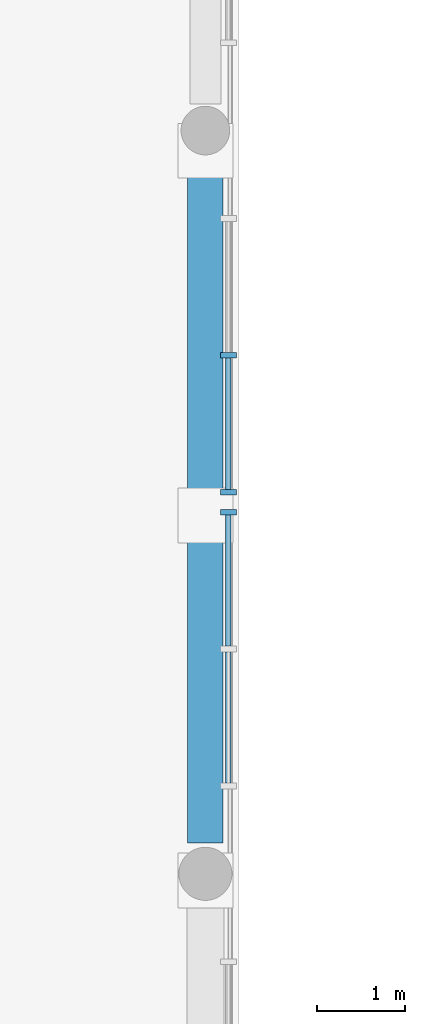
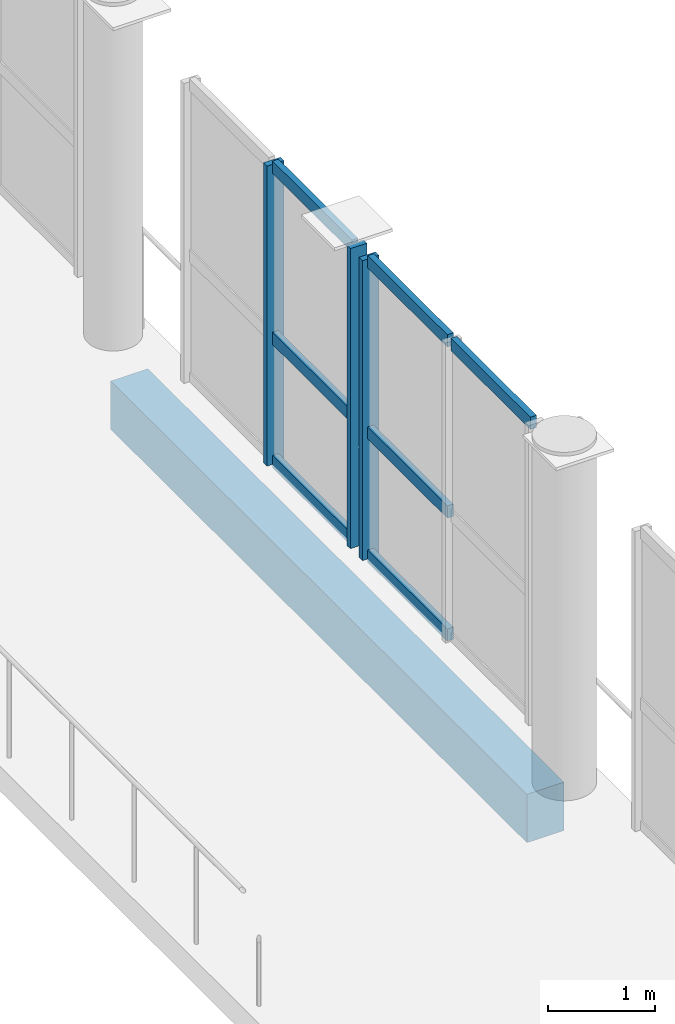
# One storey, part 21 of 76: 10 members, 1 beam, 2 elements without a shape of their own.
"""IFC4 building model written with IfcOpenShell, lengths in metres."""

from ifc_helpers import new_model, si_unit, direction, frame, origin, origin_2d, place, context, subcontext, project, spatial, rectangle, extrude, material, layer, layer_set, material_profile, profile_set, type_object, element, aggregate, save


model = new_model("IFC4")

# Units and contexts
model_context = context("Model", 3, precision=1e-05, world=origin(), true_north=direction((0.0, 1.0)))
body_context = subcontext(model_context, "Body", "Model", "MODEL_VIEW")
ifc_project = project(units=[si_unit("LENGTHUNIT", "METRE"), si_unit("AREAUNIT", "SQUARE_METRE"), si_unit("VOLUMEUNIT", "CUBIC_METRE"), si_unit("PLANEANGLEUNIT", "RADIAN"), si_unit("MASSUNIT", "GRAM", prefix="KILO")], contexts=[model_context])

# Site, building, storey
site_placement = place(None, origin())
site = spatial("IfcSite", under=ifc_project, at=site_placement, CompositionType="ELEMENT")
building_placement = place(site_placement, origin())
building = spatial("IfcBuilding", under=site, at=building_placement, Name="Vardoun Plaza Health Centre", CompositionType="ELEMENT")
storey_placement = place(building_placement, frame((0.0, 0.0, 4.5)))
storey = spatial("IfcBuildingStorey", under=building, at=storey_placement, Name="L01", CompositionType="ELEMENT", Elevation=4.5)

# Beam
ifc_material_1 = material(Name="Concrete C35/45", Category="concrete")
ifc_material_profile_1 = material_profile(ifc_material_1, rectangle(XDim=0.39990234375, YDim=0.550048828125, at=origin_2d()), Name="RC-BM 400x550")
ifc_profile_set_1 = profile_set([ifc_material_profile_1], Name="Concrete C35/45")
beam_type = type_object("IfcBeamType", Name="B-09", PredefinedType="SPANDREL", material=ifc_profile_set_1)
beam_placement = place(storey_placement, frame((76.300048828125, 61.85009765625, -0.554931640625), z_axis=(0.0, 1.0, 0.0), x_axis=(-1.0, 0.0, 0.0)))
element("IfcBeam", 1, at=beam_placement, inside=storey, type_object=beam_type, Name="V1 L01 Beam B-V1-L01-Y17", PredefinedType="SPANDREL", context=body_context, shape_type="SweptSolid", body=[
    extrude(rectangle(XDim=0.39990234375, YDim=0.550048828125, at=origin_2d()), origin(), (0.0, 0.0, 1.0), 7.75),
])

# Curtain wall, members
ifc_material_2 = material(Name="Aluminium Alloy EN AW-6063-T6 and Low-E Glass", Category="aluminium")
ifc_layer = layer(ifc_material_2, 0.179931640625)
ifc_layer_set = layer_set([ifc_layer], Name="Aluminium Alloy EN AW-6063-T6 and Low-E Glass")
curtain_wall_type = type_object("IfcCurtainWallType", Name="CW-01", PredefinedType="USERDEFINED", material=ifc_layer_set)
curtain_wall_1_placement = place(storey_placement, origin())
curtain_wall_1 = element("IfcCurtainWall", 2, at=curtain_wall_1_placement, inside=storey, type_object=curtain_wall_type, Name="Curtain Wall CW-V1-025", ObjectType="CONCOURSE_CURTAIN_WALL", PredefinedType="USERDEFINED")
ifc_material_3 = material(Name="Aluminium Alloy EN AW-6063-T6", Category="aluminium")
ifc_material_profile_2 = material_profile(ifc_material_3, rectangle(XDim=0.179931640625, YDim=0.06494140625, at=origin_2d()), Name="CWM 65x180")
ifc_profile_set_2 = profile_set([ifc_material_profile_2], Name="Aluminium Alloy EN AW-6063-T6")
member_type_1 = type_object("IfcMemberType", Name="CW-M2", PredefinedType="MULLION", material=ifc_profile_set_2)
member_1_placement = place(storey_placement, frame((76.56005859375, 67.360107421875, 0.0), z_axis=(0.0, 0.0, 1.0), x_axis=(1.0, 0.0, 0.0)))
member_1 = element("IfcMember", 3, at=member_1_placement, type_object=member_type_1, Name="CW-V1-025 mullion 2", PredefinedType="MULLION", context=body_context, shape_type="SweptSolid", body=[
    extrude(rectangle(XDim=0.179931640625, YDim=0.06494140625, at=origin_2d()), origin(), (0.0, 0.0, 1.0), 3.409912109375),
])
member_2_placement = place(storey_placement, frame((76.56005859375, 65.8125, 0.0), z_axis=(0.0, 0.0, 1.0), x_axis=(1.0, 0.0, 0.0)))
member_2 = element("IfcMember", 4, at=member_2_placement, type_object=member_type_1, Name="CW-V1-025 mullion 3", PredefinedType="MULLION", context=body_context, shape_type="SweptSolid", body=[
    extrude(rectangle(XDim=0.179931640625, YDim=0.06494140625, at=origin_2d()), origin(), (0.0, 0.0, 1.0), 3.409912109375),
])

# Curtain wall, member
curtain_wall_2_placement = place(storey_placement, origin())
curtain_wall_2 = element("IfcCurtainWall", 5, at=curtain_wall_2_placement, inside=storey, type_object=curtain_wall_type, Name="Curtain Wall CW-V1-026", ObjectType="CONCOURSE_CURTAIN_WALL", PredefinedType="USERDEFINED")
member_3_placement = place(storey_placement, frame((76.56005859375, 65.587646484375, 0.0), z_axis=(0.0, 0.0, 1.0), x_axis=(1.0, 0.0, 0.0)))
member_3 = element("IfcMember", 6, at=member_3_placement, type_object=member_type_1, Name="CW-V1-026 mullion 1", PredefinedType="MULLION", context=body_context, shape_type="SweptSolid", body=[
    extrude(rectangle(XDim=0.179931640625, YDim=0.06494140625, at=origin_2d()), origin(), (0.0, 0.0, 1.0), 3.409912109375),
])

# Member
ifc_material_4 = material(Name="Aluminium Alloy EN AW-6063-T6", Category="aluminium")
ifc_material_profile_3 = material_profile(ifc_material_4, rectangle(XDim=0.06494140625, YDim=0.139892578125, at=origin_2d()), Name="CWT 65x140")
ifc_profile_set_3 = profile_set([ifc_material_profile_3], Name="Aluminium Alloy EN AW-6063-T6")
member_type_2 = type_object("IfcMemberType", Name="CW-T2", PredefinedType="USERDEFINED", material=ifc_profile_set_3)
member_4_placement = place(storey_placement, frame((76.56005859375, 67.327392578125, 0.032470703125), z_axis=(0.0, -1.0, 0.0), x_axis=(1.0, 0.0, 0.0)))
member_4 = element("IfcMember", 7, at=member_4_placement, type_object=member_type_2, Name="CW-V1-025 transom 2.1", ObjectType="TRANSOM", PredefinedType="USERDEFINED", context=body_context, shape_type="SweptSolid", body=[
    extrude(rectangle(XDim=0.06494140625, YDim=0.139892578125, at=origin_2d()), origin(), (0.0, 0.0, 1.0), 1.482421875),
])

member_5_placement = place(storey_placement, frame((76.56005859375, 67.327392578125, 1.43212890625), z_axis=(0.0, -1.0, 0.0), x_axis=(1.0, 0.0, 0.0)))
member_5 = element("IfcMember", 8, at=member_5_placement, type_object=member_type_2, Name="CW-V1-025 transom 2.2", ObjectType="TRANSOM", PredefinedType="USERDEFINED", context=body_context, shape_type="SweptSolid", body=[
    extrude(rectangle(XDim=0.06494140625, YDim=0.139892578125, at=origin_2d()), origin(), (0.0, 0.0, 1.0), 1.482421875),
])

member_6_placement = place(storey_placement, frame((76.56005859375, 67.327392578125, 3.37744140625), z_axis=(0.0, -1.0, 0.0), x_axis=(1.0, 0.0, 0.0)))
member_6 = element("IfcMember", 9, at=member_6_placement, type_object=member_type_2, Name="CW-V1-025 transom 2.3", ObjectType="TRANSOM", PredefinedType="USERDEFINED", context=body_context, shape_type="SweptSolid", body=[
    extrude(rectangle(XDim=0.06494140625, YDim=0.139892578125, at=origin_2d()), origin(), (0.0, 0.0, 1.0), 1.482421875),
])

aggregate(curtain_wall_1, [member_1, member_2, member_4, member_5, member_6])

member_7_placement = place(storey_placement, frame((76.56005859375, 65.554931640625, 0.032470703125), z_axis=(0.0, -1.0, 0.0), x_axis=(1.0, 0.0, 0.0)))
member_7 = element("IfcMember", 10, at=member_7_placement, type_object=member_type_2, Name="CW-V1-026 transom 1.1", ObjectType="TRANSOM", PredefinedType="USERDEFINED", context=body_context, shape_type="SweptSolid", body=[
    extrude(rectangle(XDim=0.06494140625, YDim=0.139892578125, at=origin_2d()), origin(), (0.0, 0.0, 1.0), 1.482421875),
])

member_8_placement = place(storey_placement, frame((76.56005859375, 65.554931640625, 1.43212890625), z_axis=(0.0, -1.0, 0.0), x_axis=(1.0, 0.0, 0.0)))
member_8 = element("IfcMember", 11, at=member_8_placement, type_object=member_type_2, Name="CW-V1-026 transom 1.2", ObjectType="TRANSOM", PredefinedType="USERDEFINED", context=body_context, shape_type="SweptSolid", body=[
    extrude(rectangle(XDim=0.06494140625, YDim=0.139892578125, at=origin_2d()), origin(), (0.0, 0.0, 1.0), 1.482421875),
])

member_9_placement = place(storey_placement, frame((76.56005859375, 65.554931640625, 3.37744140625), z_axis=(0.0, -1.0, 0.0), x_axis=(1.0, 0.0, 0.0)))
member_9 = element("IfcMember", 12, at=member_9_placement, type_object=member_type_2, Name="CW-V1-026 transom 1.3", ObjectType="TRANSOM", PredefinedType="USERDEFINED", context=body_context, shape_type="SweptSolid", body=[
    extrude(rectangle(XDim=0.06494140625, YDim=0.139892578125, at=origin_2d()), origin(), (0.0, 0.0, 1.0), 1.482421875),
])

member_10_placement = place(storey_placement, frame((76.56005859375, 64.007568359375, 3.37744140625), z_axis=(0.0, -1.0, 0.0), x_axis=(1.0, 0.0, 0.0)))
member_10 = element("IfcMember", 13, at=member_10_placement, type_object=member_type_2, Name="CW-V1-026 transom 2.3", ObjectType="TRANSOM", PredefinedType="USERDEFINED", context=body_context, shape_type="SweptSolid", body=[
    extrude(rectangle(XDim=0.06494140625, YDim=0.139892578125, at=origin_2d()), origin(), (0.0, 0.0, 1.0), 1.482421875),
])

aggregate(curtain_wall_2, [member_3, member_7, member_8, member_9, member_10])

save(model, "model.ifc")
